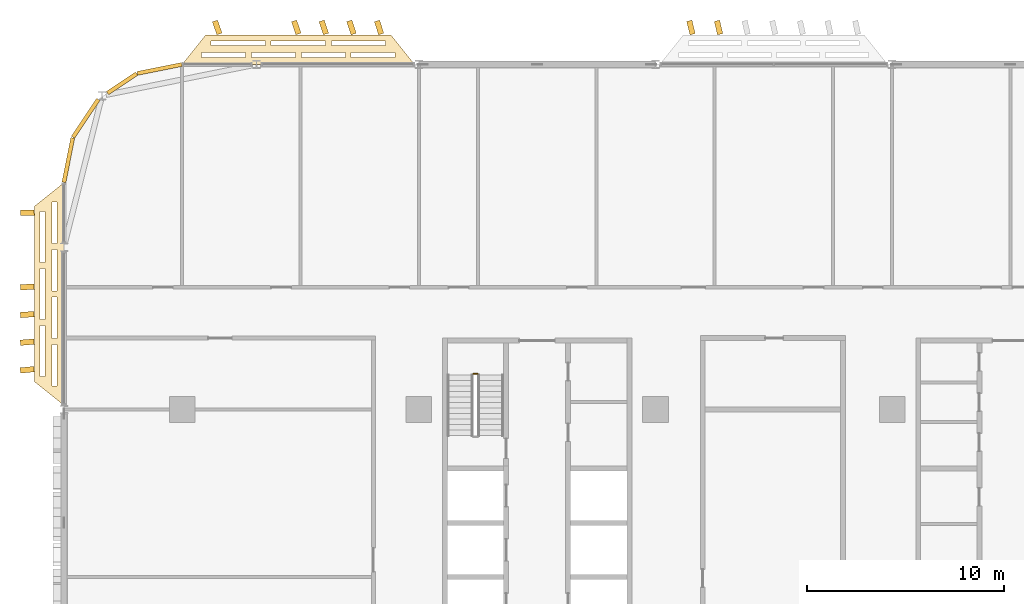
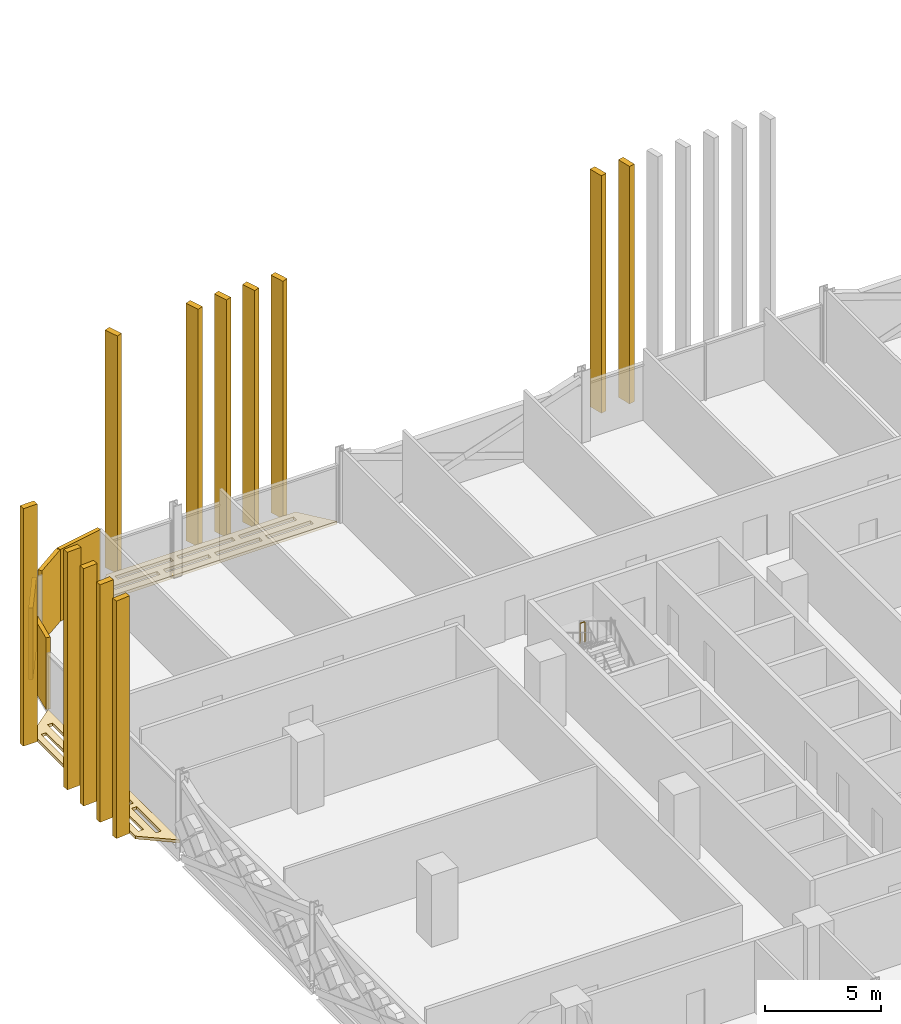
# One storey, part 28 of 32: 18 coverings, 1 railing.
"""IFC4 building model written with IfcOpenShell, lengths in metres."""

from ifc_helpers import new_model, si_unit, direction, frame, origin, origin_2d, place, context, subcontext, project, spatial, polyline, rectangle, circle, outline, extrude, material, layer, layer_set, type_object, element, save


model = new_model("IFC4")

# Units and contexts
model_context = context("Model", 3, precision=1e-05, world=origin(), true_north=direction((0.0, 1.0)))
body_context = subcontext(model_context, "Body", "Model", "MODEL_VIEW")
ifc_project = project(units=[si_unit("LENGTHUNIT", "METRE"), si_unit("AREAUNIT", "SQUARE_METRE"), si_unit("VOLUMEUNIT", "CUBIC_METRE"), si_unit("PLANEANGLEUNIT", "RADIAN"), si_unit("MASSUNIT", "GRAM", prefix="KILO")], contexts=[model_context])

# Site, building, storey
site_placement = place(None, origin())
site = spatial("IfcSite", under=ifc_project, at=site_placement, CompositionType="ELEMENT")
building_placement = place(site_placement, origin())
building = spatial("IfcBuilding", under=site, at=building_placement, Name="Mahtab Terrace Research Tower", CompositionType="ELEMENT")
storey_placement = place(building_placement, frame((0.0, 0.0, 138.39990234375)))
storey = spatial("IfcBuildingStorey", under=building, at=storey_placement, Name="L32", CompositionType="ELEMENT", Elevation=138.39990234375)

# Coverings
ifc_material_1 = material(Name="Black aluminium cladding panel", Category="aluminium")
ifc_layer_1 = layer(ifc_material_1, 0.199951171875)
ifc_layer_set_1 = layer_set([ifc_layer_1], Name="Black metal corner cladding 200")
covering_type_1 = type_object("IfcCoveringType", Name="Black metal corner cladding 200", PredefinedType="CLADDING", material=ifc_layer_set_1)
covering_1_placement = place(storey_placement, frame((-43.14794921875, 28.771484375, 0.0), z_axis=(0.0, 0.0, 1.0), x_axis=(-0.980760981187, -0.195212442692, 0.0)))
element("IfcCovering", 1, at=covering_1_placement, inside=storey, type_object=covering_type_1, Name="Corner cladding L32 11", PredefinedType="CLADDING", context=body_context, shape_type="SweptSolid", body=[
    extrude(rectangle(XDim=2.30126953125, YDim=0.199951171875, at=origin_2d()), origin(), (0.0, 0.0, 1.0), 3.760009765625),
])
covering_2_placement = place(storey_placement, frame((-45.049560546875, 28.039794921875, 0.0), z_axis=(0.0, 0.0, 1.0), x_axis=(-0.831655794326, -0.555291490808, 0.0)))
element("IfcCovering", 2, at=covering_2_placement, inside=storey, type_object=covering_type_1, Name="Corner cladding L32 12", PredefinedType="CLADDING", context=body_context, shape_type="SweptSolid", body=[
    extrude(rectangle(XDim=1.772216796875, YDim=0.199951171875, at=origin_2d()), origin(), (0.0, 0.0, 1.0), 3.760009765625),
])
for number, where, z_axis, x_axis, name in (
    (3, (-46.89306640625, 26.26953125, 0.0), (0.0, 0.0, 1.0), (-0.555291490808, -0.831655794326, 0.0), "Corner cladding L32 13"),
    (4, (-47.771484375, 24.14794921875, 0.0), (0.0, 0.0, 1.0), (-0.195212442692, -0.980760981187, 0.0), "Corner cladding L32 14"),
):
    element("IfcCovering", number, at=place(storey_placement, frame(where, z_axis=z_axis, x_axis=x_axis)), inside=storey, type_object=covering_type_1, Name=name, PredefinedType="CLADDING", context=body_context, shape_type="SweptSolid", body=[
        extrude(rectangle(XDim=2.30126953125, YDim=0.199951171875, at=origin_2d()), origin(), (0.0, 0.0, 1.0), 3.760009765625),
    ])
ifc_material_2 = material(Name="Black anodised aluminium", Category="aluminium")
ifc_layer_2 = layer(ifc_material_2, 0.14990234375)
ifc_layer_set_2 = layer_set([ifc_layer_2], Name="Horizontal sunshade band")
covering_type_2 = type_object("IfcCoveringType", Name="Horizontal sunshade band", PredefinedType="CLADDING", material=ifc_layer_set_2)
covering_3_placement = place(storey_placement, frame((0.0, 0.0, -0.14990234375)))
element("IfcCovering", 5, at=covering_3_placement, inside=storey, type_object=covering_type_2, Name="Sunshade band L32 9", PredefinedType="CLADDING", context=body_context, shape_type="SweptSolid", body=[
    extrude(outline(polyline([(-30.218017578125, 29.0), (-42.0, 29.0), (-40.800048828125, 30.5), (-31.41796875, 30.5), (-30.218017578125, 29.0)]), holes=[polyline([(-31.197998046875, 29.35009765625), (-33.427978515625, 29.35009765625), (-33.427978515625, 29.60009765625), (-31.197998046875, 29.60009765625), (-31.197998046875, 29.35009765625)]), polyline([(-33.72900390625, 29.35009765625), (-35.958984375, 29.35009765625), (-35.958984375, 29.60009765625), (-33.72900390625, 29.60009765625), (-33.72900390625, 29.35009765625)]), polyline([(-36.259033203125, 29.35009765625), (-38.489013671875, 29.35009765625), (-38.489013671875, 29.60009765625), (-36.259033203125, 29.60009765625), (-36.259033203125, 29.35009765625)]), polyline([(-38.7900390625, 29.35009765625), (-41.02001953125, 29.35009765625), (-41.02001953125, 29.60009765625), (-38.7900390625, 29.60009765625), (-38.7900390625, 29.35009765625)]), polyline([(-31.677978515625, 29.949951171875), (-34.431884765625, 29.949951171875), (-34.431884765625, 30.199951171875), (-31.677978515625, 30.199951171875), (-31.677978515625, 29.949951171875)]), polyline([(-34.73193359375, 29.949951171875), (-37.486083984375, 29.949951171875), (-37.486083984375, 30.199951171875), (-34.73193359375, 30.199951171875), (-34.73193359375, 29.949951171875)]), polyline([(-37.785888671875, 29.949951171875), (-40.5400390625, 29.949951171875), (-40.5400390625, 30.199951171875), (-37.785888671875, 30.199951171875), (-37.785888671875, 29.949951171875)])]), origin(), (0.0, 0.0, 1.0), 0.14990234375),
])
covering_4_placement = place(storey_placement, frame((0.0, 0.0, -0.14990234375)))
element("IfcCovering", 6, at=covering_4_placement, inside=storey, type_object=covering_type_2, Name="Sunshade band L32 15", PredefinedType="CLADDING", context=body_context, shape_type="SweptSolid", body=[
    extrude(outline(polyline([(-48.0, 23.0), (-48.0, 11.718017578125), (-49.5, 12.91796875), (-49.5, 21.800048828125), (-48.0, 23.0)]), holes=[polyline([(-48.35009765625, 22.02001953125), (-48.35009765625, 19.9150390625), (-48.60009765625, 19.9150390625), (-48.60009765625, 22.02001953125), (-48.35009765625, 22.02001953125)]), polyline([(-48.35009765625, 19.614013671875), (-48.35009765625, 17.509033203125), (-48.60009765625, 17.509033203125), (-48.60009765625, 19.614013671875), (-48.35009765625, 19.614013671875)]), polyline([(-48.35009765625, 17.208984375), (-48.35009765625, 15.10400390625), (-48.60009765625, 15.10400390625), (-48.60009765625, 17.208984375), (-48.35009765625, 17.208984375)]), polyline([(-48.35009765625, 14.803955078125), (-48.35009765625, 12.697998046875), (-48.60009765625, 12.697998046875), (-48.60009765625, 14.803955078125), (-48.35009765625, 14.803955078125)]), polyline([(-48.949951171875, 21.5400390625), (-48.949951171875, 18.952880859375), (-49.199951171875, 18.952880859375), (-49.199951171875, 21.5400390625), (-48.949951171875, 21.5400390625)]), polyline([(-48.949951171875, 18.653076171875), (-48.949951171875, 16.06494140625), (-49.199951171875, 16.06494140625), (-49.199951171875, 18.653076171875), (-48.949951171875, 18.653076171875)]), polyline([(-48.949951171875, 15.764892578125), (-48.949951171875, 13.177978515625), (-49.199951171875, 13.177978515625), (-49.199951171875, 15.764892578125), (-48.949951171875, 15.764892578125)])]), origin(), (0.0, 0.0, 1.0), 0.14990234375),
])

# Railing
ifc_material_3 = material(Name="Stainless steel AISI 304", Category="steel")
railing_type = type_object("IfcRailingType", Name="Stair guard 1100", PredefinedType="GUARDRAIL", material=ifc_material_3)
railing_placement = place(storey_placement, frame((-27.0, 13.304931640625, 2.050048828125)))
element("IfcRailing", 7, at=railing_placement, inside=storey, type_object=railing_type, Name="L32 ST1 stair guard 2", PredefinedType="GUARDRAIL", context=body_context, shape_type="SweptSolid", body=[
    extrude(circle(Radius=0.02392578125, at=origin_2d()), frame((0.0, 0.0, 1.076171875), z_axis=(-1.0, 0.0, 0.0), x_axis=(0.0, -1.0, 0.0)), (0.0, 0.0, 1.0), 0.25),
    extrude(circle(Radius=0.02099609375, at=origin_2d()), origin(), (0.0, 0.0, 1.0), 1.052001953125),
    extrude(circle(Radius=0.02099609375, at=origin_2d()), frame((-0.25, 0.0, 0.0)), (0.0, 0.0, 1.0), 1.052001953125),
])

# Coverings
ifc_material_4 = material(Name="Bronze anodised aluminium", Category="aluminium")
ifc_layer_3 = layer(ifc_material_4, 0.1201171875)
ifc_layer_set_3 = layer_set([ifc_layer_3], Name="Vertical fin 700")
covering_type_3 = type_object("IfcCoveringType", Name="Vertical fin 700", PredefinedType="CLADDING", material=ifc_layer_set_3)
for number, where, z_axis, x_axis, name in (
    (8, (-14.800048828125, 30.873046875, -0.14990234375), (0.0, 0.0, 1.0), (-0.972272827152, -0.233849416469, 0.0), "Fin L32 N6"),
    (9, (-16.199951171875, 30.873291015625, -0.14990234375), (0.0, 0.0, 1.0), (-0.970895900159, -0.239501881108, 0.0), "Fin L32 N7"),
    (10, (-32.015380859375, 30.8759765625, -0.14990234375), (0.0, 0.0, 1.0), (-0.953070595846, -0.302748145053, 0.0), "Fin L32 N1"),
    (11, (-33.41552734375, 30.876220703125, -0.14990234375), (0.0, 0.0, 1.0), (-0.951293159517, -0.308287730303, 0.0), "Fin L32 N2"),
    (12, (-34.8154296875, 30.876220703125, -0.14990234375), (0.0, 0.0, 1.0), (-0.949483525455, -0.313816881143, 0.0), "Fin L32 N3"),
    (13, (-36.215576171875, 30.87646484375, -0.14990234375), (0.0, 0.0, 1.0), (-0.947641754903, -0.319335410447, 0.0), "Fin L32 N4"),
    (14, (-40.224609375, 30.876708984375, -0.14990234375), (0.0, 0.0, 1.0), (-0.942190504106, -0.335077683489, 0.0), "Fin L32 N1"),
    (15, (-49.85205078125, 21.474609375, -0.14990234375), (0.0, 0.0, 1.0), (0.0156611231, -0.999877357091, 0.0), "Fin L32 W1"),
    (16, (-49.857177734375, 17.715576171875, -0.14990234375), (0.0, 0.0, 1.0), (0.054227460867, -0.998528608748, 0.0), "Fin L32 W1"),
    (17, (-49.85888671875, 16.3154296875, -0.14990234375), (0.0, 0.0, 1.0), (0.068573516302, -0.997646065928, 0.0), "Fin L32 W2"),
    (18, (-49.8603515625, 14.91552734375, -0.14990234375), (0.0, 0.0, 1.0), (0.082905405241, -0.996557421217, 0.0), "Fin L32 W3"),
    (19, (-49.862060546875, 13.515380859375, -0.14990234375), (0.0, 0.0, 1.0), (0.09722016692, -0.995262899511, 0.0), "Fin L32 W4"),
):
    element("IfcCovering", number, at=place(storey_placement, frame(where, z_axis=z_axis, x_axis=x_axis)), inside=storey, type_object=covering_type_3, Name=name, PredefinedType="CLADDING", context=body_context, shape_type="SweptSolid", body=[
        extrude(rectangle(XDim=0.280029296875, YDim=0.699951171875, at=origin_2d()), origin(), (0.0, 0.0, 1.0), 12.449951171875),
    ])

save(model, "model.ifc")
